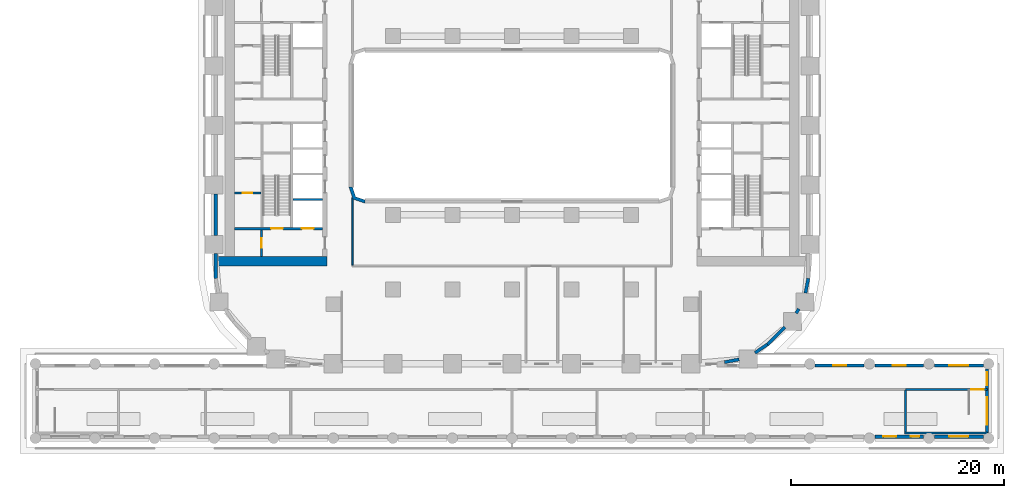
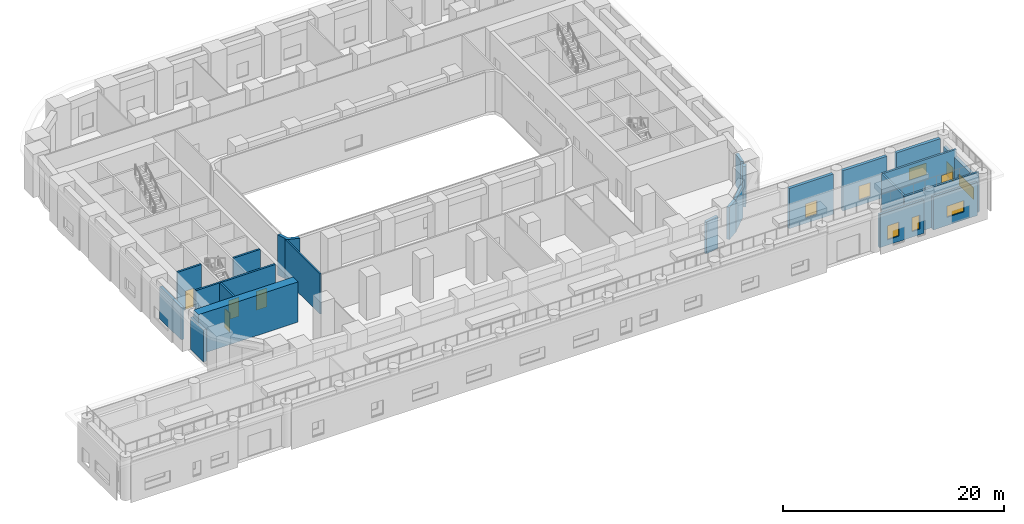
# One storey, part 4 of 13: 23 walls, 8 windows, 5 doors, 13 openings.
"""IFC4 building model written with IfcOpenShell, lengths in metres."""

from ifc_helpers import new_model, si_unit, direction, frame, frame_2d, origin, place, context, subcontext, project, spatial, polyline, rectangle, outline, extrude, material, layer, layer_set, type_object, element, fill, save


model = new_model("IFC4")

# Units and contexts
model_context = context("Model", 3, precision=1e-05, world=origin(), true_north=direction((0.0, 1.0)))
body_context = subcontext(model_context, "Body", "Model", "MODEL_VIEW")
ifc_project = project(units=[si_unit("LENGTHUNIT", "METRE"), si_unit("AREAUNIT", "SQUARE_METRE"), si_unit("VOLUMEUNIT", "CUBIC_METRE"), si_unit("PLANEANGLEUNIT", "RADIAN"), si_unit("MASSUNIT", "GRAM", prefix="KILO")], contexts=[model_context])

# Site, building, storey
site_placement = place(None, origin())
site = spatial("IfcSite", under=ifc_project, at=site_placement, CompositionType="ELEMENT")
building_placement = place(site_placement, origin())
building = spatial("IfcBuilding", under=site, at=building_placement, Name="Kiln Ring Residences", CompositionType="ELEMENT")
storey_placement = place(building_placement, frame((0.0, 0.0, 25.699951171875)))
storey = spatial("IfcBuildingStorey", under=building, at=storey_placement, Name="L05", CompositionType="ELEMENT", Elevation=25.699951171875)

# Wall, opening, door
ifc_material_1 = material(Name="Gypsum board on steel studs", Category="steel")
ifc_layer_1 = layer(ifc_material_1, 0.199951171875)
ifc_layer_set_1 = layer_set([ifc_layer_1], Name="CORE-PARTITION-200")
wall_type_1 = type_object("IfcWallType", Name="CORE-PARTITION-200", PredefinedType="PARTITIONING", material=ifc_layer_set_1)
wall_1_placement = place(storey_placement, frame((-23.550048828125, -12.300048828125, 0.0), z_axis=(0.0, 0.0, 1.0), x_axis=(0.0, 1.0, 0.0)))
wall_1 = element("IfcWall", 1, at=wall_1_placement, inside=storey, type_object=wall_type_1, Name="Core partition west L05 4", PredefinedType="PARTITIONING", context=body_context, shape_type="SweptSolid", body=[
    extrude(rectangle(XDim=2.5, YDim=0.199951171875, at=frame_2d((1.25, 0.0))), origin(), (0.0, 0.0, 1.0), 4.449951171875),
])
opening_1_placement = place(wall_1_placement, frame((0.800048828125, 0.0, 0.0)))
opening_1 = element("IfcOpeningElement", 2, at=opening_1_placement, cuts=wall_1, Name="Opening L05-CW10", PredefinedType="OPENING", context=body_context, shape_type="SweptSolid", body=[
    extrude(rectangle(XDim=0.89990234375, YDim=2.10009765625, at=frame_2d((0.449951171875, 1.050048828125))), frame((0.0, 0.10986328125, 0.0), z_axis=(0.0, -1.0, 0.0), x_axis=(1.0, 0.0, 0.0)), (0.0, 0.0, 1.0), 0.219970703125),
])
ifc_material_2 = material(Name="Steel door leaf", Category="steel")
door_type_1 = type_object("IfcDoorType", Name="CORE-DOOR-ROOM", OperationType="SINGLE_SWING_LEFT", PredefinedType="DOOR", material=ifc_material_2)
door_1_placement = place(opening_1_placement, origin())
door_1 = element("IfcDoor", 3, at=door_1_placement, inside=storey, type_object=door_type_1, Name="Store L05-CW10", OperationType="SINGLE_SWING_RIGHT", OverallHeight=2.10009765625, OverallWidth=0.89990234375, PredefinedType="DOOR", context=body_context, shape_type="SweptSolid", body=[
    extrude(rectangle(XDim=0.89990234375, YDim=2.10009765625, at=frame_2d((0.449951171875, 1.050048828125))), frame((0.0, 0.02490234375, 0.0), z_axis=(0.0, -1.0, 0.0), x_axis=(1.0, 0.0, 0.0)), (0.0, 0.0, 1.0), 0.050048828125),
])
fill(opening_1, door_1)

wall_2_placement = place(storey_placement, frame((-23.60009765625, -6.35009765625, 0.0), z_axis=(0.0, 0.0, 1.0), x_axis=(-1.0, 0.0, 0.0)))
wall_2 = element("IfcWall", 4, at=wall_2_placement, inside=storey, type_object=wall_type_1, Name="Core partition west L05 5", PredefinedType="PARTITIONING", context=body_context, shape_type="SweptSolid", body=[
    extrude(rectangle(XDim=2.5, YDim=0.199951171875, at=frame_2d((1.25, 0.0))), origin(), (0.0, 0.0, 1.0), 4.449951171875),
])
opening_2_placement = place(wall_2_placement, frame((0.800048828125, 0.0, 0.0)))
opening_2 = element("IfcOpeningElement", 5, at=opening_2_placement, cuts=wall_2, Name="Opening L05-CW15", PredefinedType="OPENING", context=body_context, shape_type="SweptSolid", body=[
    extrude(rectangle(XDim=0.89990234375, YDim=2.10009765625, at=frame_2d((0.449951171875, 1.050048828125))), frame((0.0, 0.10986328125, 0.0), z_axis=(0.0, -1.0, 0.0), x_axis=(1.0, 0.0, 0.0)), (0.0, 0.0, 1.0), 0.219970703125),
])
door_2_placement = place(opening_2_placement, origin())
door_2 = element("IfcDoor", 6, at=door_2_placement, inside=storey, type_object=door_type_1, Name="Meter room L05-CW15", OperationType="SINGLE_SWING_RIGHT", OverallHeight=2.10009765625, OverallWidth=0.89990234375, PredefinedType="DOOR", context=body_context, shape_type="SweptSolid", body=[
    extrude(rectangle(XDim=0.89990234375, YDim=2.10009765625, at=frame_2d((0.449951171875, 1.050048828125))), frame((0.0, 0.02490234375, 0.0), z_axis=(0.0, -1.0, 0.0), x_axis=(1.0, 0.0, 0.0)), (0.0, 0.0, 1.0), 0.050048828125),
])
fill(opening_2, door_2)

# Wall
ifc_material_3 = material(Name="Gypsum shaft wall system")
ifc_layer_2 = layer(ifc_material_3, 0.199951171875)
ifc_layer_set_2 = layer_set([ifc_layer_2], Name="CORE-SHAFT-WALL-200")
wall_type_2 = type_object("IfcWallType", Name="CORE-SHAFT-WALL-200", PredefinedType="PARTITIONING", material=ifc_layer_set_2)
wall_3_placement = place(storey_placement, frame((-17.800048828125, -6.949951171875, 0.0), z_axis=(0.0, 0.0, 1.0), x_axis=(-1.0, 0.0, 0.0)))
element("IfcWall", 7, at=wall_3_placement, inside=storey, type_object=wall_type_2, Name="Core partition west L05 9", PredefinedType="PARTITIONING", context=body_context, shape_type="SweptSolid", body=[
    extrude(rectangle(XDim=2.800048828125, YDim=0.199951171875, at=frame_2d((1.39990234375, 0.0))), origin(), (0.0, 0.0, 1.0), 4.449951171875),
])

# Wall, openings, doors
ifc_material_4 = material(Name="Concrete C40/50", Category="concrete")
ifc_layer_3 = layer(ifc_material_4, 0.199951171875)
ifc_layer_set_3 = layer_set([ifc_layer_3], Name="CORE-WALL-RC200")
wall_type_3 = type_object("IfcWallType", Name="CORE-WALL-RC200", PredefinedType="SHEAR", material=ifc_layer_set_3)
wall_4_placement = place(storey_placement, frame((-17.800048828125, -9.699951171875, 0.0), z_axis=(0.0, 0.0, 1.0), x_axis=(-1.0, 0.0, 0.0)))
wall_4 = element("IfcWall", 8, at=wall_4_placement, inside=storey, type_object=wall_type_3, Name="Core wall west L05 8", PredefinedType="SHEAR", context=body_context, shape_type="SweptSolid", body=[
    extrude(rectangle(XDim=8.300048828125, YDim=0.199951171875, at=frame_2d((4.14990234375, 0.0))), origin(), (0.0, 0.0, 1.0), 4.449951171875),
])
opening_3_placement = place(wall_4_placement, frame((0.85009765625, 0.0, 0.0)))
opening_3 = element("IfcOpeningElement", 9, at=opening_3_placement, cuts=wall_4, Name="Opening L05-CW01", PredefinedType="OPENING", context=body_context, shape_type="SweptSolid", body=[
    extrude(rectangle(XDim=1.10009765625, YDim=2.10009765625, at=frame_2d((0.550048828125, 1.050048828125))), frame((0.0, 0.10986328125, 0.0), z_axis=(0.0, -1.0, 0.0), x_axis=(1.0, 0.0, 0.0)), (0.0, 0.0, 1.0), 0.219970703125),
])
opening_4_placement = place(wall_4_placement, frame((3.75, 0.0, 0.0)))
opening_4 = element("IfcOpeningElement", 10, at=opening_4_placement, cuts=wall_4, Name="Opening L05-CW12", PredefinedType="OPENING", context=body_context, shape_type="SweptSolid", body=[
    extrude(rectangle(XDim=1.10009765625, YDim=2.10009765625, at=frame_2d((0.550048828125, 1.050048828125))), frame((0.0, 0.10986328125, 0.0), z_axis=(0.0, -1.0, 0.0), x_axis=(1.0, 0.0, 0.0)), (0.0, 0.0, 1.0), 0.219970703125),
])
ifc_material_5 = material(Name="Steel door leaf", Category="steel")
door_type_2 = type_object("IfcDoorType", Name="CORE-DOOR-LD", OperationType="DOUBLE_DOOR_SLIDING", PredefinedType="DOOR", material=ifc_material_5)
door_3_placement = place(opening_3_placement, origin())
door_3 = element("IfcDoor", 11, at=door_3_placement, inside=storey, type_object=door_type_2, Name="LD W-SV L05-CW01", OperationType="DOUBLE_DOOR_SLIDING", OverallHeight=2.10009765625, OverallWidth=1.10009765625, PredefinedType="DOOR", context=body_context, shape_type="SweptSolid", body=[
    extrude(rectangle(XDim=1.10009765625, YDim=2.10009765625, at=frame_2d((0.550048828125, 1.050048828125))), frame((0.0, 0.02490234375, 0.0), z_axis=(0.0, -1.0, 0.0), x_axis=(1.0, 0.0, 0.0)), (0.0, 0.0, 1.0), 0.050048828125),
])
fill(opening_3, door_3)
ifc_material_6 = material(Name="Steel door leaf", Category="steel")
door_type_3 = type_object("IfcDoorType", Name="CORE-DOOR-STAIR", OperationType="SINGLE_SWING_LEFT", PredefinedType="DOOR", material=ifc_material_6)
door_4_placement = place(opening_4_placement, origin())
door_4 = element("IfcDoor", 12, at=door_4_placement, inside=storey, type_object=door_type_3, Name="Stair W-STS L05-CW12", OperationType="SINGLE_SWING_LEFT", OverallHeight=2.10009765625, OverallWidth=1.10009765625, PredefinedType="DOOR", context=body_context, shape_type="SweptSolid", body=[
    extrude(rectangle(XDim=1.10009765625, YDim=2.10009765625, at=frame_2d((0.550048828125, 1.050048828125))), frame((0.0, 0.02490234375, 0.0), z_axis=(0.0, -1.0, 0.0), x_axis=(1.0, 0.0, 0.0)), (0.0, 0.0, 1.0), 0.050048828125),
])
fill(opening_4, door_4)

# Wall
ifc_material_7 = material(Name="Concrete C60/75", Category="concrete")
ifc_layer_4 = layer(ifc_material_7, 0.89990234375)
ifc_layer_set_4 = layer_set([ifc_layer_4], Name="CORE-WALL-RC900")
wall_type_4 = type_object("IfcWallType", Name="CORE-WALL-RC900", PredefinedType="SHEAR", material=ifc_layer_set_4)
wall_5_placement = place(storey_placement, frame((-17.39990234375, -12.75, 0.0), z_axis=(0.0, 0.0, 1.0), x_axis=(-1.0, 0.0, 0.0)))
element("IfcWall", 13, at=wall_5_placement, inside=storey, type_object=wall_type_4, Name="Core wall west L05 5", PredefinedType="SHEAR", context=body_context, shape_type="SweptSolid", body=[
    extrude(rectangle(XDim=10.400146484375, YDim=0.89990234375, at=frame_2d((5.2001953125, 0.0))), origin(), (0.0, 0.0, 1.0), 4.449951171875),
])

# Wall, openings, windows
ifc_material_8 = material(Name="Brick masonry, dark clay brick", Category="masonry")
ifc_layer_5 = layer(ifc_material_8, 0.300048828125)
ifc_layer_set_5 = layer_set([ifc_layer_5], Name="EW-300 BRICK WALL")
wall_type_5 = type_object("IfcWallType", Name="EW-300 BRICK WALL", PredefinedType="SOLIDWALL", material=ifc_layer_set_5)
wall_6_placement = place(storey_placement, frame((44.64990234375, -28.89990234375, 0.0), z_axis=(0.0, 0.0, 1.0), x_axis=(0.0, 1.0, 0.0)))
wall_6 = element("IfcWall", 14, at=wall_6_placement, inside=storey, type_object=wall_type_5, Name="Facade wall L05 1", PredefinedType="SOLIDWALL", context=body_context, shape_type="SweptSolid", body=[
    extrude(rectangle(XDim=6.0, YDim=0.300048828125, at=frame_2d((3.0, 0.0))), origin(), (0.0, 0.0, 1.0), 3.650146484375),
])
opening_5_placement = place(wall_6_placement, frame((0.75, 0.0, 0.89990234375)))
opening_5 = element("IfcOpeningElement", 15, at=opening_5_placement, cuts=wall_6, Name="Opening W3", PredefinedType="OPENING", context=body_context, shape_type="SweptSolid", body=[
    extrude(rectangle(XDim=2.60009765625, YDim=1.25, at=frame_2d((1.300048828125, 0.625))), frame((0.0, 0.159912109375, 0.0), z_axis=(0.0, -1.0, 0.0), x_axis=(1.0, 0.0, 0.0)), (0.0, 0.0, 1.0), 0.320068359375),
])
opening_6_placement = place(wall_6_placement, frame((4.487548828125, 0.0, 0.60009765625)))
opening_6 = element("IfcOpeningElement", 16, at=opening_6_placement, cuts=wall_6, Name="Opening W1", PredefinedType="OPENING", context=body_context, shape_type="SweptSolid", body=[
    extrude(rectangle(XDim=1.199951171875, YDim=1.550048828125, at=frame_2d((0.60009765625, 0.77490234375))), frame((0.0, 0.159912109375, 0.0), z_axis=(0.0, -1.0, 0.0), x_axis=(1.0, 0.0, 0.0)), (0.0, 0.0, 1.0), 0.320068359375),
])
ifc_material_9 = material(Name="Aluminium frame with double glazing", Category="aluminium")
window_type_1 = type_object("IfcWindowType", Name="WINDOW 1200 x 1550", PartitioningType="SINGLE_PANEL", PredefinedType="WINDOW", material=ifc_material_9)
window_1_placement = place(opening_6_placement, origin())
window_1 = element("IfcWindow", 17, at=window_1_placement, inside=storey, type_object=window_type_1, Name="Window L05 2", OverallHeight=1.550048828125, OverallWidth=1.199951171875, PartitioningType="SINGLE_PANEL", PredefinedType="WINDOW", context=body_context, shape_type="SweptSolid", body=[
    extrude(rectangle(XDim=1.199951171875, YDim=1.550048828125, at=frame_2d((0.60009765625, 0.77490234375))), frame((0.0, 0.030029296875, 0.0), z_axis=(0.0, -1.0, 0.0), x_axis=(1.0, 0.0, 0.0)), (0.0, 0.0, 1.0), 0.06005859375),
])
fill(opening_6, window_1)
ifc_material_10 = material(Name="Aluminium frame with double glazing", Category="aluminium")
window_type_2 = type_object("IfcWindowType", Name="WINDOW 2600 x 1250", PartitioningType="SINGLE_PANEL", PredefinedType="WINDOW", material=ifc_material_10)
window_2_placement = place(opening_5_placement, origin())
window_2 = element("IfcWindow", 18, at=window_2_placement, inside=storey, type_object=window_type_2, Name="Window L05 1", OverallHeight=1.25, OverallWidth=2.60009765625, PartitioningType="SINGLE_PANEL", PredefinedType="WINDOW", context=body_context, shape_type="SweptSolid", body=[
    extrude(rectangle(XDim=2.60009765625, YDim=1.25, at=frame_2d((1.300048828125, 0.625))), frame((0.0, 0.030029296875, 0.0), z_axis=(0.0, -1.0, 0.0), x_axis=(1.0, 0.0, 0.0)), (0.0, 0.0, 1.0), 0.06005859375),
])
fill(opening_5, window_2)

# Wall, opening, window
wall_7_placement = place(storey_placement, frame((44.300048828125, -22.550048828125, 0.0), z_axis=(0.0, 0.0, 1.0), x_axis=(-1.0, 0.0, 0.0)))
wall_7 = element("IfcWall", 19, at=wall_7_placement, inside=storey, type_object=wall_type_5, Name="Facade wall L05 2", PredefinedType="SOLIDWALL", context=body_context, shape_type="SweptSolid", body=[
    extrude(rectangle(XDim=4.60009765625, YDim=0.300048828125, at=frame_2d((2.300048828125, 0.0))), origin(), (0.0, 0.0, 1.0), 4.449951171875),
])
opening_7_placement = place(wall_7_placement, frame((1.39990234375, 0.0, 0.89990234375)))
opening_7 = element("IfcOpeningElement", 20, at=opening_7_placement, cuts=wall_7, Name="Opening W2", PredefinedType="OPENING", context=body_context, shape_type="SweptSolid", body=[
    extrude(rectangle(XDim=1.800048828125, YDim=1.25, at=frame_2d((0.89990234375, 0.625))), frame((0.0, 0.159912109375, 0.0), z_axis=(0.0, -1.0, 0.0), x_axis=(1.0, 0.0, 0.0)), (0.0, 0.0, 1.0), 0.320068359375),
])
ifc_material_11 = material(Name="Aluminium frame with double glazing", Category="aluminium")
window_type_3 = type_object("IfcWindowType", Name="WINDOW 1800 x 1250", PartitioningType="SINGLE_PANEL", PredefinedType="WINDOW", material=ifc_material_11)
window_3_placement = place(opening_7_placement, origin())
window_3 = element("IfcWindow", 21, at=window_3_placement, inside=storey, type_object=window_type_3, Name="Window L05 3", OverallHeight=1.25, OverallWidth=1.800048828125, PartitioningType="SINGLE_PANEL", PredefinedType="WINDOW", context=body_context, shape_type="SweptSolid", body=[
    extrude(rectangle(XDim=1.800048828125, YDim=1.25, at=frame_2d((0.89990234375, 0.625))), frame((0.0, 0.030029296875, 0.0), z_axis=(0.0, -1.0, 0.0), x_axis=(1.0, 0.0, 0.0)), (0.0, 0.0, 1.0), 0.06005859375),
])
fill(opening_7, window_3)

wall_8_placement = place(storey_placement, frame((38.699951171875, -22.550048828125, 0.0), z_axis=(0.0, 0.0, 1.0), x_axis=(-1.0, 0.0, 0.0)))
wall_8 = element("IfcWall", 22, at=wall_8_placement, inside=storey, type_object=wall_type_5, Name="Facade wall L05 3", PredefinedType="SOLIDWALL", context=body_context, shape_type="SweptSolid", body=[
    extrude(rectangle(XDim=4.599853515625, YDim=0.300048828125, at=frame_2d((2.2998046875, 0.0))), origin(), (0.0, 0.0, 1.0), 4.449951171875),
])
opening_8_placement = place(wall_8_placement, frame((1.699951171875, 0.0, 0.60009765625)))
opening_8 = element("IfcOpeningElement", 23, at=opening_8_placement, cuts=wall_8, Name="Opening W1", PredefinedType="OPENING", context=body_context, shape_type="SweptSolid", body=[
    extrude(rectangle(XDim=1.199951171875, YDim=1.550048828125, at=frame_2d((0.60009765625, 0.77490234375))), frame((0.0, 0.159912109375, 0.0), z_axis=(0.0, -1.0, 0.0), x_axis=(1.0, 0.0, 0.0)), (0.0, 0.0, 1.0), 0.320068359375),
])
window_4_placement = place(opening_8_placement, origin())
window_4 = element("IfcWindow", 24, at=window_4_placement, inside=storey, type_object=window_type_1, Name="Window L05 4", OverallHeight=1.550048828125, OverallWidth=1.199951171875, PartitioningType="SINGLE_PANEL", PredefinedType="WINDOW", context=body_context, shape_type="SweptSolid", body=[
    extrude(rectangle(XDim=1.199951171875, YDim=1.550048828125, at=frame_2d((0.60009765625, 0.77490234375))), frame((0.0, 0.030029296875, 0.0), z_axis=(0.0, -1.0, 0.0), x_axis=(1.0, 0.0, 0.0)), (0.0, 0.0, 1.0), 0.06005859375),
])
fill(opening_8, window_4)

wall_9_placement = place(storey_placement, frame((33.10009765625, -22.550048828125, 0.0), z_axis=(0.0, 0.0, 1.0), x_axis=(-1.0, 0.0, 0.0)))
wall_9 = element("IfcWall", 25, at=wall_9_placement, inside=storey, type_object=wall_type_5, Name="Facade wall L05 4", PredefinedType="SOLIDWALL", context=body_context, shape_type="SweptSolid", body=[
    extrude(rectangle(XDim=4.60009765625, YDim=0.300048828125, at=frame_2d((2.300048828125, 0.0))), origin(), (0.0, 0.0, 1.0), 4.449951171875),
])
opening_9_placement = place(wall_9_placement, frame((1.699951171875, 0.0, 0.60009765625)))
opening_9 = element("IfcOpeningElement", 26, at=opening_9_placement, cuts=wall_9, Name="Opening W1", PredefinedType="OPENING", context=body_context, shape_type="SweptSolid", body=[
    extrude(rectangle(XDim=1.199951171875, YDim=1.550048828125, at=frame_2d((0.60009765625, 0.77490234375))), frame((0.0, 0.159912109375, 0.0), z_axis=(0.0, -1.0, 0.0), x_axis=(1.0, 0.0, 0.0)), (0.0, 0.0, 1.0), 0.320068359375),
])
window_5_placement = place(opening_9_placement, origin())
window_5 = element("IfcWindow", 27, at=window_5_placement, inside=storey, type_object=window_type_1, Name="Window L05 5", OverallHeight=1.550048828125, OverallWidth=1.199951171875, PartitioningType="SINGLE_PANEL", PredefinedType="WINDOW", context=body_context, shape_type="SweptSolid", body=[
    extrude(rectangle(XDim=1.199951171875, YDim=1.550048828125, at=frame_2d((0.60009765625, 0.77490234375))), frame((0.0, 0.030029296875, 0.0), z_axis=(0.0, -1.0, 0.0), x_axis=(1.0, 0.0, 0.0)), (0.0, 0.0, 1.0), 0.06005859375),
])
fill(opening_9, window_5)

# Walls
for number, where, z_axis, x_axis, name in (
    (28, (19.971923828125, -22.252685546875, 0.0), (0.0, 0.0, 1.0), (0.98229142023, 0.187359455971, 0.0), "Facade wall L05 7"),
    (29, (22.849853515625, -21.369140625, 0.0), (0.0, 0.0, 1.0), (0.827075041075, 0.562091519622, 0.0), "Facade wall L05 8"),
):
    element("IfcWall", number, at=place(storey_placement, frame(where, z_axis=z_axis, x_axis=x_axis)), inside=storey, type_object=wall_type_5, Name=name, PredefinedType="SOLIDWALL", context=body_context, shape_type="SweptSolid", body=[
        extrude(rectangle(XDim=1.406005859375, YDim=0.300048828125, at=frame_2d((0.703125, 0.0))), origin(), (0.0, 0.0, 1.0), 3.550048828125),
    ])
wall_10_placement = place(storey_placement, frame((23.990966796875, -20.596923828125, 0.0), z_axis=(0.0, 0.0, 1.0), x_axis=(0.707054835785, 0.707158722772, 0.0)))
element("IfcWall", 30, at=wall_10_placement, inside=storey, type_object=wall_type_5, Name="Facade wall L05 9", PredefinedType="SOLIDWALL", context=body_context, shape_type="SweptSolid", body=[
    extrude(rectangle(XDim=2.35009765625, YDim=0.300048828125, at=frame_2d((1.175048828125, 0.0))), origin(), (0.0, 0.0, 1.0), 3.550048828125),
])
wall_11_placement = place(storey_placement, frame((26.701171875, -17.644287109375, 0.0), z_axis=(0.0, 0.0, 1.0), x_axis=(0.562001981492, 0.827135885329, 0.0)))
element("IfcWall", 31, at=wall_11_placement, inside=storey, type_object=wall_type_5, Name="Facade wall L05 10", PredefinedType="SOLIDWALL", context=body_context, shape_type="SweptSolid", body=[
    extrude(rectangle(XDim=0.47705078125, YDim=0.300048828125, at=frame_2d((0.238525390625, 0.0))), origin(), (0.0, 0.0, 1.0), 4.449951171875),
])
wall_12_placement = place(storey_placement, frame((27.589111328125, -15.753173828125, 0.0), z_axis=(0.0, 0.0, 1.0), x_axis=(0.187327504018, 0.982297514116, 0.0)))
element("IfcWall", 32, at=wall_12_placement, inside=storey, type_object=wall_type_5, Name="Facade wall L05 11", PredefinedType="SOLIDWALL", context=body_context, shape_type="SweptSolid", body=[
    extrude(rectangle(XDim=1.40625, YDim=0.300048828125, at=frame_2d((0.703125, 0.0))), origin(), (0.0, 0.0, 1.0), 3.550048828125),
])
wall_13_placement = place(storey_placement, frame((-27.85009765625, -6.449951171875, 0.0), z_axis=(0.0, 0.0, 1.0), x_axis=(0.0, -1.0, 0.0)))
element("IfcWall", 33, at=wall_13_placement, inside=storey, type_object=wall_type_5, Name="Facade wall L05 40", PredefinedType="SOLIDWALL", context=body_context, shape_type="SweptSolid", body=[
    extrude(rectangle(XDim=3.900146484375, YDim=0.300048828125, at=frame_2d((1.9501953125, 0.0))), origin(), (0.0, 0.0, 1.0), 3.550048828125),
])
wall_14_placement = place(storey_placement, frame((-27.85009765625, -12.050048828125, 0.0), z_axis=(0.0, 0.0, 1.0), x_axis=(0.0, -1.0, 0.0)))
element("IfcWall", 34, at=wall_14_placement, inside=storey, type_object=wall_type_5, Name="Facade wall L05 41", PredefinedType="SOLIDWALL", context=body_context, shape_type="SweptSolid", body=[
    extrude(rectangle(XDim=2.349853515625, YDim=0.300048828125, at=frame_2d((1.1748046875, 0.0))), origin(), (0.0, 0.0, 1.0), 3.550048828125),
])

# Wall, openings, windows
wall_15_placement = place(storey_placement, frame((34.10009765625, -29.25, 0.0), z_axis=(0.0, 0.0, 1.0), x_axis=(1.0, 0.0, 0.0)))
wall_15 = element("IfcWall", 35, at=wall_15_placement, inside=storey, type_object=wall_type_5, Name="Facade wall L05 67", PredefinedType="SOLIDWALL", context=body_context, shape_type="SweptSolid", body=[
    extrude(rectangle(XDim=4.599853515625, YDim=0.300048828125, at=frame_2d((2.2998046875, 0.0))), origin(), (0.0, 0.0, 1.0), 3.650146484375),
])
opening_10_placement = place(wall_15_placement, frame((0.8125, 0.0, 0.60009765625)))
opening_10 = element("IfcOpeningElement", 36, at=opening_10_placement, cuts=wall_15, Name="Opening W1", PredefinedType="OPENING", context=body_context, shape_type="SweptSolid", body=[
    extrude(rectangle(XDim=1.199951171875, YDim=1.550048828125, at=frame_2d((0.60009765625, 0.77490234375))), frame((0.0, 0.159912109375, 0.0), z_axis=(0.0, -1.0, 0.0), x_axis=(1.0, 0.0, 0.0)), (0.0, 0.0, 1.0), 0.320068359375),
])
opening_11_placement = place(wall_15_placement, frame((3.387451171875, 0.0, 0.60009765625)))
opening_11 = element("IfcOpeningElement", 37, at=opening_11_placement, cuts=wall_15, Name="Opening W5", PredefinedType="OPENING", context=body_context, shape_type="SweptSolid", body=[
    extrude(rectangle(XDim=0.800048828125, YDim=1.550048828125, at=frame_2d((0.39990234375, 0.77490234375))), frame((0.0, 0.159912109375, 0.0), z_axis=(0.0, -1.0, 0.0), x_axis=(1.0, 0.0, 0.0)), (0.0, 0.0, 1.0), 0.320068359375),
])
window_6_placement = place(opening_10_placement, origin())
window_6 = element("IfcWindow", 38, at=window_6_placement, inside=storey, type_object=window_type_1, Name="Window L05 40", OverallHeight=1.550048828125, OverallWidth=1.199951171875, PartitioningType="SINGLE_PANEL", PredefinedType="WINDOW", context=body_context, shape_type="SweptSolid", body=[
    extrude(rectangle(XDim=1.199951171875, YDim=1.550048828125, at=frame_2d((0.60009765625, 0.77490234375))), frame((0.0, 0.030029296875, 0.0), z_axis=(0.0, -1.0, 0.0), x_axis=(1.0, 0.0, 0.0)), (0.0, 0.0, 1.0), 0.06005859375),
])
fill(opening_10, window_6)
ifc_material_12 = material(Name="Aluminium frame with double glazing", Category="aluminium")
window_type_4 = type_object("IfcWindowType", Name="WINDOW 800 x 1550", PartitioningType="SINGLE_PANEL", PredefinedType="WINDOW", material=ifc_material_12)
window_7_placement = place(opening_11_placement, origin())
window_7 = element("IfcWindow", 39, at=window_7_placement, inside=storey, type_object=window_type_4, Name="Window L05 41", OverallHeight=1.550048828125, OverallWidth=0.800048828125, PartitioningType="SINGLE_PANEL", PredefinedType="WINDOW", context=body_context, shape_type="SweptSolid", body=[
    extrude(rectangle(XDim=0.800048828125, YDim=1.550048828125, at=frame_2d((0.39990234375, 0.77490234375))), frame((0.0, 0.030029296875, 0.0), z_axis=(0.0, -1.0, 0.0), x_axis=(1.0, 0.0, 0.0)), (0.0, 0.0, 1.0), 0.06005859375),
])
fill(opening_11, window_7)

# Wall, opening, window
wall_16_placement = place(storey_placement, frame((39.699951171875, -29.25, 0.0), z_axis=(0.0, 0.0, 1.0), x_axis=(1.0, 0.0, 0.0)))
wall_16 = element("IfcWall", 40, at=wall_16_placement, inside=storey, type_object=wall_type_5, Name="Facade wall L05 68", PredefinedType="SOLIDWALL", context=body_context, shape_type="SweptSolid", body=[
    extrude(rectangle(XDim=4.60009765625, YDim=0.300048828125, at=frame_2d((2.300048828125, 0.0))), origin(), (0.0, 0.0, 1.0), 3.650146484375),
])
opening_12_placement = place(wall_16_placement, frame((1.39990234375, 0.0, 0.89990234375)))
opening_12 = element("IfcOpeningElement", 41, at=opening_12_placement, cuts=wall_16, Name="Opening W2", PredefinedType="OPENING", context=body_context, shape_type="SweptSolid", body=[
    extrude(rectangle(XDim=1.800048828125, YDim=1.25, at=frame_2d((0.89990234375, 0.625))), frame((0.0, 0.159912109375, 0.0), z_axis=(0.0, -1.0, 0.0), x_axis=(1.0, 0.0, 0.0)), (0.0, 0.0, 1.0), 0.320068359375),
])
window_8_placement = place(opening_12_placement, origin())
window_8 = element("IfcWindow", 42, at=window_8_placement, inside=storey, type_object=window_type_3, Name="Window L05 42", OverallHeight=1.25, OverallWidth=1.800048828125, PartitioningType="SINGLE_PANEL", PredefinedType="WINDOW", context=body_context, shape_type="SweptSolid", body=[
    extrude(rectangle(XDim=1.800048828125, YDim=1.25, at=frame_2d((0.89990234375, 0.625))), frame((0.0, 0.030029296875, 0.0), z_axis=(0.0, -1.0, 0.0), x_axis=(1.0, 0.0, 0.0)), (0.0, 0.0, 1.0), 0.06005859375),
])
fill(opening_12, window_8)

# Walls
wall_17_placement = place(storey_placement, origin())
element("IfcWall", 43, at=wall_17_placement, inside=storey, type_object=wall_type_5, Name="Corner wall L05 6", PredefinedType="SOLIDWALL", context=body_context, shape_type="SweptSolid", body=[
    extrude(outline(polyline([(-14.937255859375, -6.937255859375), (-13.8486328125, -7.300048828125), (-13.800048828125, -7.300048828125), (-13.800048828125, -7.0), (-14.699951171875, -6.699951171875), (-15.0, -5.800048828125), (-15.300048828125, -5.800048828125), (-15.300048828125, -5.8486328125), (-14.937255859375, -6.937255859375)])), origin(), (0.0, 0.0, 1.0), 4.449951171875),
])
ifc_material_13 = material(Name="Brick masonry partition", Category="masonry")
ifc_layer_6 = layer(ifc_material_13, 0.14990234375)
ifc_layer_set_6 = layer_set([ifc_layer_6], Name="PARTITION-150-ei60")
wall_type_6 = type_object("IfcWallType", Name="PARTITION-150-ei60", PredefinedType="PARTITIONING", material=ifc_layer_set_6)
wall_18_placement = place(storey_placement, frame((-15.0, -13.125, 0.0), z_axis=(0.0, 0.0, 1.0), x_axis=(0.0, 1.0, 0.0)))
element("IfcWall", 44, at=wall_18_placement, inside=storey, type_object=wall_type_6, Name="Partition 014", PredefinedType="PARTITIONING", context=body_context, shape_type="SweptSolid", body=[
    extrude(rectangle(XDim=6.356201171875, YDim=0.14990234375, at=frame_2d((3.17822265625, 0.0))), origin(), (0.0, 0.0, 1.0), 4.449951171875),
])
ifc_material_14 = material(Name="Concrete C40/50", Category="concrete")
ifc_layer_7 = layer(ifc_material_14, 0.199951171875)
ifc_layer_set_7 = layer_set([ifc_layer_7], Name="PODIUM-STAIR-WALL-200")
wall_type_7 = type_object("IfcWallType", Name="PODIUM-STAIR-WALL-200", PredefinedType="SHEAR", material=ifc_layer_set_7)
wall_19_placement = place(storey_placement, frame((36.89990234375, -28.89990234375, 0.0), z_axis=(0.0, 0.0, 1.0), x_axis=(1.0, 0.0, 0.0)))
element("IfcWall", 45, at=wall_19_placement, inside=storey, type_object=wall_type_7, Name="Stair wall 001", PredefinedType="SHEAR", context=body_context, shape_type="SweptSolid", body=[
    extrude(rectangle(XDim=7.81005859375, YDim=0.199951171875, at=frame_2d((3.905029296875, 0.0))), origin(), (0.0, 0.0, 1.0), 4.449951171875),
])

# Wall, opening, door
wall_20_placement = place(storey_placement, frame((37.0, -24.800048828125, 0.0), z_axis=(0.0, 0.0, 1.0), x_axis=(1.0, 0.0, 0.0)))
wall_20 = element("IfcWall", 46, at=wall_20_placement, inside=storey, type_object=wall_type_7, Name="Stair wall 004", PredefinedType="SHEAR", context=body_context, shape_type="SweptSolid", body=[
    extrude(rectangle(XDim=7.7099609375, YDim=0.199951171875, at=frame_2d((3.85498046875, 0.0))), origin(), (0.0, 0.0, 1.0), 4.449951171875),
])
opening_13_placement = place(wall_20_placement, frame((6.14990234375, 0.0, 0.0)))
opening_13 = element("IfcOpeningElement", 47, at=opening_13_placement, cuts=wall_20, Name="Opening L05-D007", PredefinedType="OPENING", context=body_context, shape_type="SweptSolid", body=[
    extrude(rectangle(XDim=1.199951171875, YDim=2.10009765625, at=frame_2d((0.60009765625, 1.050048828125))), frame((0.0, 0.10986328125, 0.0), z_axis=(0.0, -1.0, 0.0), x_axis=(1.0, 0.0, 0.0)), (0.0, 0.0, 1.0), 0.219970703125),
])
ifc_material_15 = material(Name="Steel faced fire door leaf", Category="steel")
door_type_4 = type_object("IfcDoorType", Name="FLAT-DOOR-1200-FR", OperationType="SINGLE_SWING_LEFT", PredefinedType="DOOR", material=ifc_material_15)
door_5_placement = place(opening_13_placement, origin())
door_5 = element("IfcDoor", 48, at=door_5_placement, inside=storey, type_object=door_type_4, Name="Door L05-D007", OperationType="SINGLE_SWING_RIGHT", OverallHeight=2.10009765625, OverallWidth=1.199951171875, PredefinedType="DOOR", context=body_context, shape_type="SweptSolid", body=[
    extrude(rectangle(XDim=1.199951171875, YDim=2.10009765625, at=frame_2d((0.60009765625, 1.050048828125))), frame((0.0, 0.02490234375, 0.0), z_axis=(0.0, -1.0, 0.0), x_axis=(1.0, 0.0, 0.0)), (0.0, 0.0, 1.0), 0.050048828125),
])
fill(opening_13, door_5)

# Wall
wall_21_placement = place(storey_placement, frame((37.0, -28.800048828125, 0.0), z_axis=(0.0, 0.0, 1.0), x_axis=(0.0, 1.0, 0.0)))
element("IfcWall", 49, at=wall_21_placement, inside=storey, type_object=wall_type_7, Name="Stair wall 029", PredefinedType="SHEAR", context=body_context, shape_type="SweptSolid", body=[
    extrude(rectangle(XDim=3.925048828125, YDim=0.199951171875, at=frame_2d((1.96240234375, 0.0))), origin(), (0.0, 0.0, 1.0), 4.449951171875),
])

save(model, "model.ifc")
